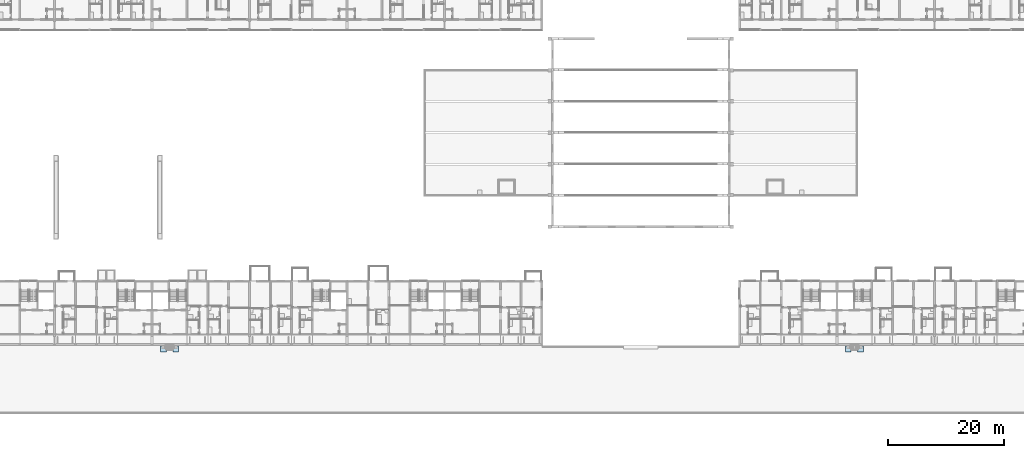
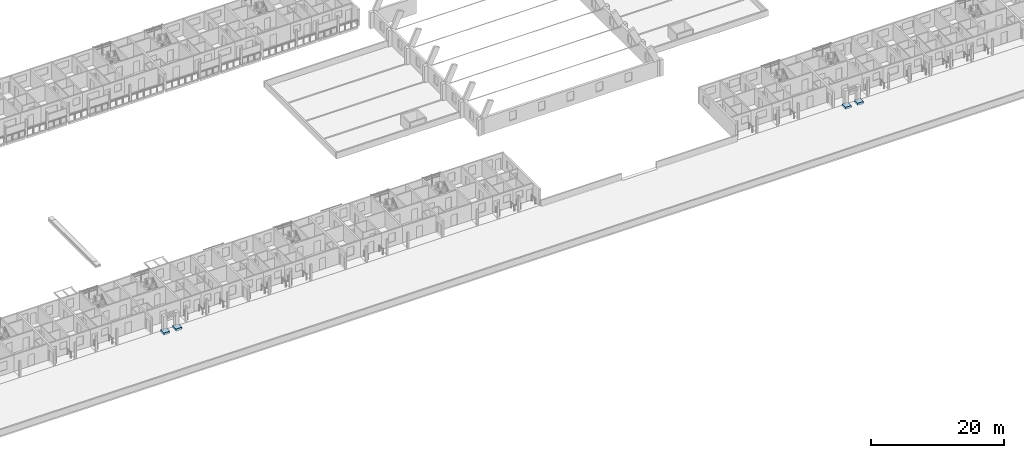
# One storey, part 1 of 115: 4 footings.
"""IFC4 building model written with IfcOpenShell, lengths in metres."""

import ifcopenshell
import ifcopenshell.guid

model = None  # the IFC model being written
_history = None  # IfcOwnerHistory: only IFC2X3 demands one
_inside = {}  # id of a spatial element -> (the spatial element, [elements in it])
_under = {}  # id of a project, library or spatial element -> (it, [spatial elements below it])
_declared = {}  # id of a project -> (the project, [libraries it declares])
_typed = {}  # id of a type object -> (the type object, [elements of that type])
_made_of = {}  # id of a material, layer set ... -> (it, [elements and type objects made of it])


def new_model(schema):
    """Start an empty IFC model of exactly this schema.

    Asked for "IFC4X3", IfcOpenShell would pick the latest addendum, in which some entities
    have other attributes; the version numbers below select the first issue.
    IFC2X3 requires an IfcOwnerHistory on every rooted entity: one is made here for all.
    """
    global model, _history
    if schema == "IFC4X3":
        model = ifcopenshell.file(schema_version=(4, 3, 0, 0))
    else:
        model = ifcopenshell.file(schema=schema)
    _inside.clear()
    _under.clear()
    _declared.clear()
    _typed.clear()
    _made_of.clear()
    _history = None
    if model.schema == "IFC2X3":
        org = make("IfcOrganization", Name="unknown")
        user = make(
            "IfcPersonAndOrganization",
            ThePerson=make("IfcPerson", FamilyName="unknown"),
            TheOrganization=org,
        )
        app = make(
            "IfcApplication",
            ApplicationDeveloper=org,
            Version="unknown",
            ApplicationFullName="unknown",
            ApplicationIdentifier="unknown",
        )
        _history = make(
            "IfcOwnerHistory",
            OwningUser=user,
            OwningApplication=app,
            ChangeAction="ADDED",
            CreationDate=0,
        )
    return model


def make(cls, **values):
    """One entity of the class cls with the attributes given. An attribute that is None is left unset."""
    return model.create_entity(
        cls, **{name: value for name, value in values.items() if value is not None}
    )


def rooted(cls, **values):
    """An entity with a GlobalId (a new one), such as an element, a storey or a relation."""
    return make(cls, GlobalId=ifcopenshell.guid.new(), OwnerHistory=_history, **values)


def si_unit(unit_type, name, prefix=None):
    """IfcSIUnit, for example si_unit("LENGTHUNIT", "METRE", prefix="MILLI")."""
    return make("IfcSIUnit", UnitType=unit_type, Prefix=prefix, Name=name)


def assignment(units):
    """IfcUnitAssignment: the units of a project."""
    return None if units is None else make("IfcUnitAssignment", Units=units)


def point(xyz):
    """IfcCartesianPoint."""
    return None if xyz is None else make("IfcCartesianPoint", Coordinates=xyz)


def direction(xyz):
    """IfcDirection."""
    return None if xyz is None else make("IfcDirection", DirectionRatios=xyz)


def frame(location, z_axis=None, x_axis=None):
    """IfcAxis2Placement3D, a coordinate frame: its origin and axes. An axis left out is left unset."""
    return make(
        "IfcAxis2Placement3D",
        Location=point(location),
        Axis=direction(z_axis),
        RefDirection=direction(x_axis),
    )


def origin():
    """The frame at (0, 0, 0) with its axes left unset."""
    return frame((0.0, 0.0, 0.0))


def place(relative_to, where):
    """IfcLocalPlacement: puts the frame where relative to a parent placement (None: the world)."""
    return make(
        "IfcLocalPlacement", PlacementRelTo=relative_to, RelativePlacement=where
    )


def context(
    kind, dimensions, precision=None, world=None, true_north=None, identifier=None
):
    """IfcGeometricRepresentationContext, for example the 3D "Model" context."""
    return make(
        "IfcGeometricRepresentationContext",
        ContextIdentifier=identifier,
        ContextType=kind,
        CoordinateSpaceDimension=dimensions,
        Precision=precision,
        WorldCoordinateSystem=world,
        TrueNorth=true_north,
    )


def subcontext(parent, identifier, kind, view, scale=None):
    """IfcGeometricRepresentationSubContext, for example "Body" below "Model"."""
    return make(
        "IfcGeometricRepresentationSubContext",
        ContextIdentifier=identifier,
        ContextType=kind,
        ParentContext=parent,
        TargetScale=scale,
        TargetView=view,
    )


def project(units=None, contexts=None):
    """IfcProject with its units and contexts."""
    return rooted(
        "IfcProject",
        Name="project",
        RepresentationContexts=contexts,
        UnitsInContext=assignment(units),
    )


def spatial(cls, under=None, at=None, **own):
    """A site, building, storey or space (cls), placed at a placement, below another one or the project."""
    s = rooted(cls, ObjectPlacement=at, **own)
    if under is not None:
        _under.setdefault(under.id(), (under, []))[1].append(s)
    return s


def polyline(points):
    """IfcPolyline through the points."""
    return make("IfcPolyline", Points=[point(p) for p in points])


def outline(outer, holes=None, kind="AREA"):
    """IfcArbitraryClosedProfileDef: a profile drawn as a closed curve; with holes, ...WithVoids."""
    if holes is None:
        return make("IfcArbitraryClosedProfileDef", ProfileType=kind, OuterCurve=outer)
    return make(
        "IfcArbitraryProfileDefWithVoids",
        ProfileType=kind,
        OuterCurve=outer,
        InnerCurves=holes,
    )


def extrude(swept, where, along, depth):
    """IfcExtrudedAreaSolid: the profile swept, set in the frame where, extruded along a direction by depth."""
    return make(
        "IfcExtrudedAreaSolid",
        SweptArea=swept,
        Position=where,
        ExtrudedDirection=direction(along),
        Depth=depth,
    )


def shape(context_of_items, identifier, shape_type, items):
    """IfcShapeRepresentation: the items that make up one representation, for example the "Body"."""
    return make(
        "IfcShapeRepresentation",
        ContextOfItems=context_of_items,
        RepresentationIdentifier=identifier,
        RepresentationType=shape_type,
        Items=items,
    )


def material(Name=None, Category=None):
    """IfcMaterial."""
    return make("IfcMaterial", Name=Name, Category=Category)


def made_of(thing, what):
    """Note that an element or type object is made of a material, layer set ...; save() writes the relation."""
    if what is not None:
        _made_of.setdefault(what.id(), (what, []))[1].append(thing)
    return thing


def type_object(cls, material=None, **own):
    """A type object (cls), such as IfcWallType, which elements share."""
    return made_of(rooted(cls, **own), material)


def element(
    cls,
    number,
    at=None,
    inside=None,
    cuts=None,
    type_object=None,
    material=None,
    context=None,
    identifier="Body",
    shape_type=None,
    held_by="IfcProductDefinitionShape",
    body=None,
    shapes=None,
    **own,
):
    """One element of the class cls, such as IfcWall. Its Tag is "e" and its number.

    at: its placement. inside: the storey or other place that contains it. cuts: it is an
    opening in that element (IfcRelVoidsElement). A single representation is given by context,
    identifier, shape_type and body (its items); several are given by shapes. held_by: the class
    of the entity that holds the representations. save() writes the other relations.
    """
    e = rooted(cls, Tag="e%d" % number, ObjectPlacement=at, **own)
    if body is not None:
        shapes = [shape(context, identifier, shape_type, body)]
    if shapes is not None:
        e.Representation = make(held_by, Representations=shapes)
    if inside is not None:
        _inside.setdefault(inside.id(), (inside, []))[1].append(e)
    if cuts is not None:
        rooted(
            "IfcRelVoidsElement", RelatingBuildingElement=cuts, RelatedOpeningElement=e
        )
    if type_object is not None:
        _typed.setdefault(type_object.id(), (type_object, []))[1].append(e)
    return made_of(e, material)


def aggregate(whole, parts):
    """IfcRelAggregates: a whole, such as a stair, and the parts it consists of."""
    return rooted("IfcRelAggregates", RelatingObject=whole, RelatedObjects=parts)


def save(model, path):
    """Write the relations noted so far, then the file.

    IfcRelAggregates (storeys below a building ...), IfcRelContainedInSpatialStructure (elements
    in a storey), IfcRelDefinesByType, IfcRelAssociatesMaterial and IfcRelDeclares: one each for
    every whole, place, type object, material and project.
    """
    for whole, parts in _under.values():
        aggregate(whole, parts)
    for where, things in _inside.values():
        rooted(
            "IfcRelContainedInSpatialStructure",
            RelatedElements=things,
            RelatingStructure=where,
        )
    for kind, things in _typed.values():
        rooted("IfcRelDefinesByType", RelatedObjects=things, RelatingType=kind)
    for what, things in _made_of.values():
        rooted("IfcRelAssociatesMaterial", RelatedObjects=things, RelatingMaterial=what)
    for by, libraries in _declared.values():
        rooted("IfcRelDeclares", RelatingContext=by, RelatedDefinitions=libraries)
    model.write(path)


model = new_model("IFC4")

# Units and contexts
model_context = context("Model", 3, precision=1e-05, world=origin(), true_north=direction((0.0, 1.0)))
body_context = subcontext(model_context, "Body", "Model", "MODEL_VIEW")
ifc_project = project(units=[si_unit("LENGTHUNIT", "METRE"), si_unit("AREAUNIT", "SQUARE_METRE"), si_unit("VOLUMEUNIT", "CUBIC_METRE"), si_unit("PLANEANGLEUNIT", "RADIAN"), si_unit("MASSUNIT", "GRAM", prefix="KILO")], contexts=[model_context])

# Site, building, storey
site_placement = place(None, origin())
site = spatial("IfcSite", under=ifc_project, at=site_placement, CompositionType="ELEMENT")
building_placement = place(site_placement, origin())
building = spatial("IfcBuilding", under=site, at=building_placement, Name="Ridgestep Commons", CompositionType="ELEMENT")
storey_placement = place(building_placement, frame((0.0, 0.0, 6.0)))
storey = spatial("IfcBuildingStorey", under=building, at=storey_placement, Name="L02", CompositionType="ELEMENT", Elevation=6.0)

# Footings
ifc_material = material(Name="Concrete C30/37", Category="concrete")
footing_type = type_object("IfcFootingType", Name="Portal pier pad 1000 x 1000 x 450", PredefinedType="PAD_FOOTING", material=ifc_material)
footing_1_placement = place(storey_placement, frame((0.0, 0.0, -0.14990234375)))
element("IfcFooting", 1, at=footing_1_placement, inside=storey, type_object=footing_type, Name="Portal pad A1", PredefinedType="PAD_FOOTING", context=body_context, shape_type="SweptSolid", body=[
    extrude(outline(polyline([(47.0625, 10.64990234375), (48.0625, 10.64990234375), (48.0625, 11.64990234375), (47.0625, 11.64990234375), (47.0625, 10.64990234375)])), origin(), (0.0, 0.0, 1.0), 0.449951171875),
])
footing_2_placement = place(storey_placement, frame((0.0, 0.0, -0.14990234375)))
element("IfcFooting", 2, at=footing_2_placement, inside=storey, type_object=footing_type, Name="Portal pad A2", PredefinedType="PAD_FOOTING", context=body_context, shape_type="SweptSolid", body=[
    extrude(outline(polyline([(49.16259765625, 10.64990234375), (50.16259765625, 10.64990234375), (50.16259765625, 11.64990234375), (49.16259765625, 11.64990234375), (49.16259765625, 10.64990234375)])), origin(), (0.0, 0.0, 1.0), 0.449951171875),
])
footing_3_placement = place(storey_placement, frame((0.0, 0.0, -0.14990234375)))
element("IfcFooting", 3, at=footing_3_placement, inside=storey, type_object=footing_type, Name="Portal pad D1", PredefinedType="PAD_FOOTING", context=body_context, shape_type="SweptSolid", body=[
    extrude(outline(polyline([(165.0625, 10.64990234375), (166.0625, 10.64990234375), (166.0625, 11.64990234375), (165.0625, 11.64990234375), (165.0625, 10.64990234375)])), origin(), (0.0, 0.0, 1.0), 0.449951171875),
])
footing_4_placement = place(storey_placement, frame((0.0, 0.0, -0.14990234375)))
element("IfcFooting", 4, at=footing_4_placement, inside=storey, type_object=footing_type, Name="Portal pad D2", PredefinedType="PAD_FOOTING", context=body_context, shape_type="SweptSolid", body=[
    extrude(outline(polyline([(167.16259765625, 10.64990234375), (168.16259765625, 10.64990234375), (168.16259765625, 11.64990234375), (167.16259765625, 11.64990234375), (167.16259765625, 10.64990234375)])), origin(), (0.0, 0.0, 1.0), 0.449951171875),
])

save(model, "model.ifc")
